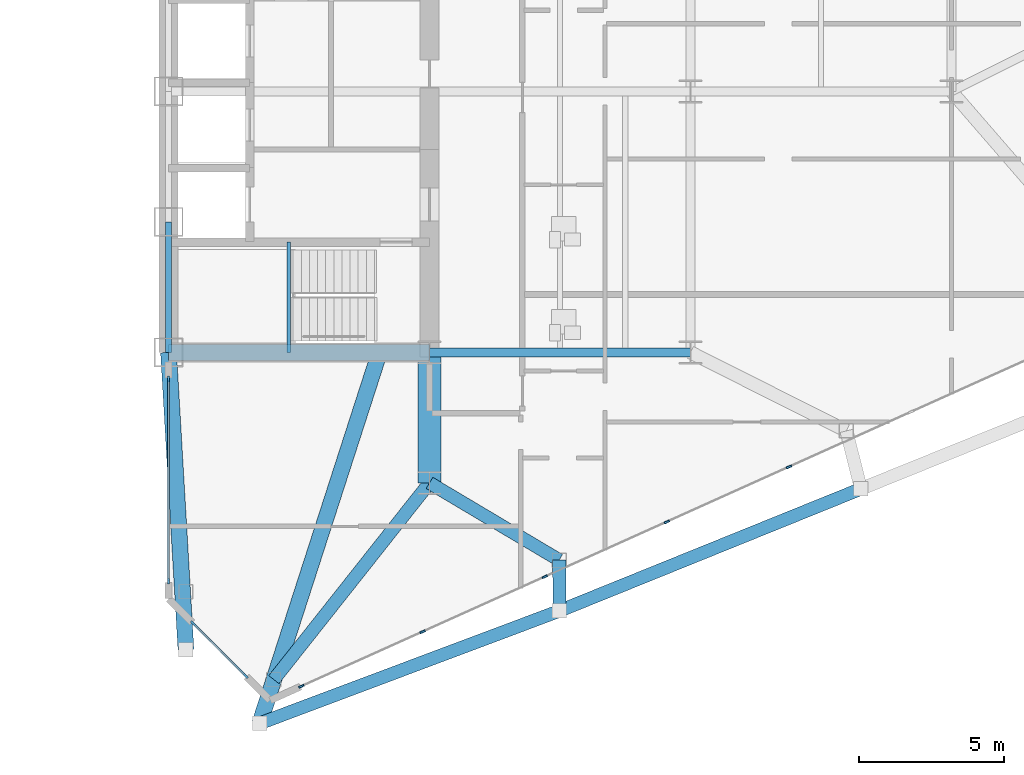
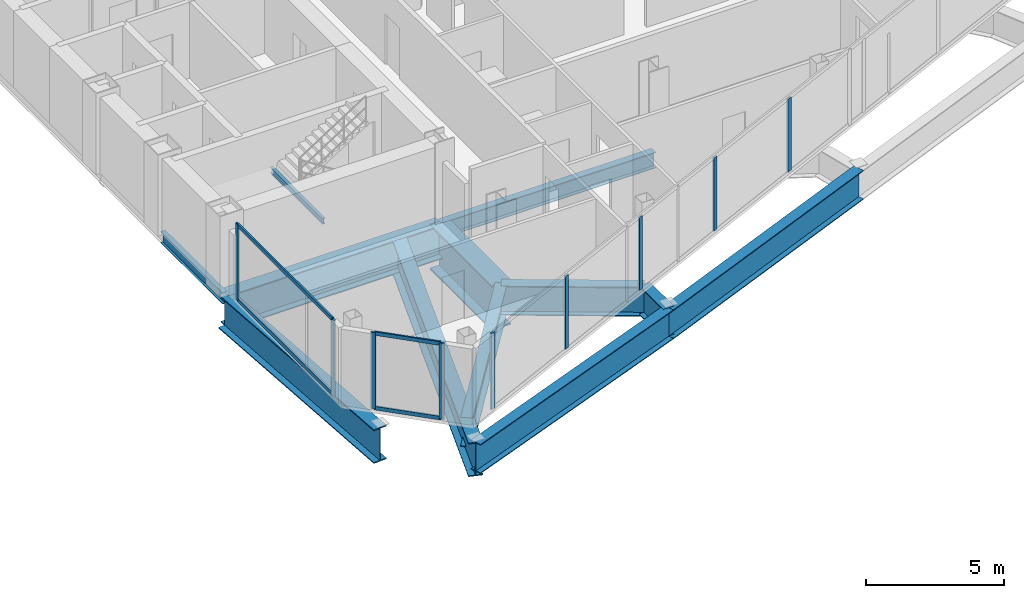
# One storey, part 11 of 29: 13 members, 12 beams, 3 elements without a shape of their own.
"""IFC4 building model written with IfcOpenShell, lengths in metres."""

from ifc_helpers import new_model, si_unit, direction, frame, origin, origin_2d, place, context, subcontext, project, spatial, rectangle, i_section, extrude, source, transform, mapped, material, layer, layer_set, material_profile, profile_set, type_object, type_shapes, element, aggregate, save


model = new_model("IFC4")

# Units and contexts
model_context = context("Model", 3, precision=1e-05, world=origin(), true_north=direction((0.0, 1.0)))
body_context = subcontext(model_context, "Body", "Model", "MODEL_VIEW")
ifc_project = project(units=[si_unit("LENGTHUNIT", "METRE"), si_unit("AREAUNIT", "SQUARE_METRE"), si_unit("VOLUMEUNIT", "CUBIC_METRE"), si_unit("PLANEANGLEUNIT", "RADIAN"), si_unit("MASSUNIT", "GRAM", prefix="KILO")], contexts=[model_context])

# Site, building, storey
site_placement = place(None, origin())
site = spatial("IfcSite", under=ifc_project, at=site_placement, CompositionType="ELEMENT")
building_placement = place(site_placement, origin())
building = spatial("IfcBuilding", under=site, at=building_placement, Name="Seokmaru Belvedere", CompositionType="ELEMENT")
storey_placement = place(building_placement, frame((0.0, 0.0, 62.10009765625)))
storey = spatial("IfcBuildingStorey", under=building, at=storey_placement, Name="L16", CompositionType="ELEMENT", Elevation=62.10009765625)

# Beams
ifc_material_1 = material(Name="Steel SM355 (355 MPa)", Category="steel")
ifc_material_profile_1 = material_profile(ifc_material_1, i_section(OverallWidth=0.199951171875, OverallDepth=0.5, WebThickness=0.010009765625, FlangeThickness=0.01611328125, at=origin_2d()), Name="H-500x200x10x16")
ifc_profile_set_1 = profile_set([ifc_material_profile_1], Name="Steel SM355 (355 MPa)")
beam_type_1 = type_object("IfcBeamType", Name="Perimeter Spandrel Beam H-500", PredefinedType="SPANDREL", material=ifc_profile_set_1)
shared_shape_1 = source(origin(), body_context, "Body", "SweptSolid", [
    extrude(i_section(OverallWidth=0.199951171875, OverallDepth=0.5, WebThickness=0.010009765625, FlangeThickness=0.01611328125, at=origin_2d()), origin(), (0.0, 0.0, 1.0), 4.5),
])
type_shapes(beam_type_1, [shared_shape_1])
beam_1_placement = place(storey_placement, frame((27.5, -13.5, -0.47021484375), z_axis=(0.0, 1.0, 0.0), x_axis=(-1.0, 0.0, 0.0)))
element("IfcBeam", 1, at=beam_1_placement, inside=storey, type_object=beam_type_1, Name="L16 E Portal Spine Spandrel 1", PredefinedType="SPANDREL", context=body_context, shape_type="MappedRepresentation", body=[
    mapped(shared_shape_1, transform((0.0, 0.0, 0.0), scale=1.0)),
])
ifc_material_profile_2 = material_profile(ifc_material_1, i_section(OverallWidth=0.300048828125, OverallDepth=0.699951171875, WebThickness=0.012939453125, FlangeThickness=0.02392578125, at=origin_2d()), Name="H-700x300x13x24")
ifc_profile_set_2 = profile_set([ifc_material_profile_2], Name="Steel SM355 (355 MPa)")
beam_type_2 = type_object("IfcBeamType", Name="Primary Floor Girder H-700", PredefinedType="BEAM", material=ifc_profile_set_2)
shared_shape_2 = source(origin(), body_context, "Body", "SweptSolid", [
    extrude(i_section(OverallWidth=0.300048828125, OverallDepth=0.699951171875, WebThickness=0.012939453125, FlangeThickness=0.02392578125, at=origin_2d()), origin(), (0.0, 0.0, 1.0), 9.0),
])
type_shapes(beam_type_2, [shared_shape_2])
beam_2_placement = place(storey_placement, frame((36.5, -13.5, -0.570068359375), z_axis=(1.0, 0.0, 0.0), x_axis=(0.0, 1.0, 0.0)))
element("IfcBeam", 2, at=beam_2_placement, inside=storey, type_object=beam_type_2, Name="L16 E Wing Primary Girder 1", PredefinedType="BEAM", context=body_context, shape_type="MappedRepresentation", body=[
    mapped(shared_shape_2, transform((0.0, 0.0, 0.0), scale=1.0)),
])
ifc_material_2 = material(Name="Steel HSA650 (650 MPa)", Category="steel")
ifc_material_profile_3 = material_profile(ifc_material_2, i_section(OverallWidth=0.800048828125, OverallDepth=2.0, WebThickness=0.0400390625, FlangeThickness=0.070068359375, at=origin_2d()), Name="BH-2000x800x40x70")
ifc_profile_set_3 = profile_set([ifc_material_profile_3], Name="Steel HSA650 (650 MPa)")
beam_type_3 = type_object("IfcBeamType", Name="Sky-Gate Transfer Truss Chord Girder BH-2000", PredefinedType="BEAM", material=ifc_profile_set_3)
shared_shape_3 = source(origin(), body_context, "Body", "SweptSolid", [
    extrude(i_section(OverallWidth=0.800048828125, OverallDepth=2.0, WebThickness=0.0400390625, FlangeThickness=0.070068359375, at=origin_2d()), origin(), (0.0, 0.0, 1.0), 4.5),
])
type_shapes(beam_type_3, [shared_shape_3])
beam_3_placement = place(storey_placement, frame((36.5, -18.0, -1.22021484375), z_axis=(0.0, 1.0, 0.0), x_axis=(-1.0, 0.0, 0.0)))
element("IfcBeam", 3, at=beam_3_placement, inside=storey, type_object=beam_type_3, Name="L16 E Core Shoulder Girder S", PredefinedType="BEAM", context=body_context, shape_type="MappedRepresentation", body=[
    mapped(shared_shape_3, transform((0.0, 0.0, 0.0), scale=1.0)),
])
ifc_material_profile_4 = material_profile(ifc_material_2, i_section(OverallWidth=0.449951171875, OverallDepth=1.300048828125, WebThickness=0.02197265625, FlangeThickness=0.0380859375, at=origin_2d()), Name="BH-1300x450x22x38")
ifc_profile_set_4 = profile_set([ifc_material_profile_4], Name="Steel HSA650 (650 MPa)")
beam_type_4 = type_object("IfcBeamType", Name="Observatory Long-Span Roof Girder BH-1300", PredefinedType="BEAM", material=ifc_profile_set_4)
shared_shape_4 = source(origin(), body_context, "Body", "SweptSolid", [
    extrude(i_section(OverallWidth=0.449951171875, OverallDepth=1.300048828125, WebThickness=0.02197265625, FlangeThickness=0.0380859375, at=origin_2d()), origin(), (0.0, 0.0, 1.0), 11.03857421875),
])
beam_4_placement = place(storey_placement, frame((30.643310546875, -26.294677734375, -0.8701171875), z_axis=(0.936169110734, 0.351549990907, 0.0), x_axis=(-0.351549990907, 0.936169110734, 0.0)))
element("IfcBeam", 4, at=beam_4_placement, inside=storey, type_object=beam_type_4, Name="L16 E Faceted Flank Spandrel S-1", PredefinedType="BEAM", context=body_context, shape_type="MappedRepresentation", body=[
    mapped(shared_shape_4, transform((0.0, 0.0, 0.0), scale=1.0)),
])
shared_shape_5 = source(origin(), body_context, "Body", "SweptSolid", [
    extrude(i_section(OverallWidth=0.449951171875, OverallDepth=1.300048828125, WebThickness=0.02197265625, FlangeThickness=0.0380859375, at=origin_2d()), origin(), (0.0, 0.0, 1.0), 11.220703125),
])
beam_5_placement = place(storey_placement, frame((40.977294921875, -22.4140625, -0.8701171875), z_axis=(0.926944290816, 0.375198989503, 0.0), x_axis=(-0.375198989503, 0.926944290816, 0.0)))
element("IfcBeam", 5, at=beam_5_placement, inside=storey, type_object=beam_type_4, Name="L16 E Faceted Flank Spandrel S-2", PredefinedType="BEAM", context=body_context, shape_type="MappedRepresentation", body=[
    mapped(shared_shape_5, transform((0.0, 0.0, 0.0), scale=1.0)),
])
ifc_material_profile_5 = material_profile(ifc_material_2, i_section(OverallWidth=0.550048828125, OverallDepth=1.5, WebThickness=0.028076171875, FlangeThickness=0.044921875, at=origin_2d()), Name="BH-1500x550x28x45")
ifc_profile_set_5 = profile_set([ifc_material_profile_5], Name="Steel HSA650 (650 MPa)")
beam_type_5 = type_object("IfcBeamType", Name="Setback Transfer Girder BH-1500", PredefinedType="BEAM", material=ifc_profile_set_5)
shared_shape_6 = source(origin(), body_context, "Body", "SweptSolid", [
    extrude(i_section(OverallWidth=0.550048828125, OverallDepth=1.5, WebThickness=0.028076171875, FlangeThickness=0.044921875, at=origin_2d()), origin(), (0.0, 0.0, 1.0), 10.26904296875),
])
beam_6_placement = place(storey_placement, frame((28.10009765625, -23.75146484375, -0.97021484375), z_axis=(-0.058437709399, 0.998291056817, 0.0), x_axis=(-0.998291056817, -0.058437709399, 0.0)))
element("IfcBeam", 6, at=beam_6_placement, inside=storey, type_object=beam_type_5, Name="L16 E Setback Transfer Girder 6", PredefinedType="BEAM", context=body_context, shape_type="MappedRepresentation", body=[
    mapped(shared_shape_6, transform((0.0, 0.0, 0.0), scale=1.0)),
])
shared_shape_7 = source(origin(), body_context, "Body", "SweptSolid", [
    extrude(i_section(OverallWidth=0.550048828125, OverallDepth=1.5, WebThickness=0.028076171875, FlangeThickness=0.044921875, at=origin_2d()), origin(), (0.0, 0.0, 1.0), 9.0),
])
beam_7_placement = place(storey_placement, frame((27.5, -13.5, -0.97021484375), z_axis=(1.0, 0.0, 0.0), x_axis=(0.0, 1.0, 0.0)))
element("IfcBeam", 7, at=beam_7_placement, inside=storey, type_object=beam_type_5, Name="L16 E Core Transfer Header 1", PredefinedType="BEAM", context=body_context, shape_type="MappedRepresentation", body=[
    mapped(shared_shape_7, transform((0.0, 0.0, 0.0), scale=1.0)),
])
shared_shape_8 = source(origin(), body_context, "Body", "SweptSolid", [
    extrude(i_section(OverallWidth=0.550048828125, OverallDepth=1.5, WebThickness=0.028076171875, FlangeThickness=0.044921875, at=origin_2d()), origin(), (0.0, 0.0, 1.0), 13.445068359375),
])
type_shapes(beam_type_5, [shared_shape_6, shared_shape_7, shared_shape_8])
beam_8_placement = place(storey_placement, frame((30.643310546875, -26.294677734375, -0.97021484375), z_axis=(0.307241517506, 0.951631572574, 0.0), x_axis=(-0.951631572574, 0.307241517506, 0.0)))
element("IfcBeam", 8, at=beam_8_placement, inside=storey, type_object=beam_type_5, Name="L16 E Setback Transfer Girder 1", PredefinedType="BEAM", context=body_context, shape_type="MappedRepresentation", body=[
    mapped(shared_shape_8, transform((0.0, 0.0, 0.0), scale=1.0)),
])
shared_shape_9 = source(origin(), body_context, "Body", "SweptSolid", [
    extrude(i_section(OverallWidth=0.449951171875, OverallDepth=1.300048828125, WebThickness=0.02197265625, FlangeThickness=0.0380859375, at=origin_2d()), origin(), (0.0, 0.0, 1.0), 8.650390625),
])
beam_9_placement = place(storey_placement, frame((31.13134765625, -24.782958984375, -0.8701171875), z_axis=(0.620618362853, 0.784112777405, 0.0), x_axis=(-0.784112777405, 0.620618362853, 0.0)))
element("IfcBeam", 9, at=beam_9_placement, inside=storey, type_object=beam_type_4, Name="L16 E Shoulder Sanity Tie Girder 1", PredefinedType="BEAM", context=body_context, shape_type="MappedRepresentation", body=[
    mapped(shared_shape_9, transform((0.0, 0.0, 0.0), scale=1.0)),
])
shared_shape_10 = source(origin(), body_context, "Body", "SweptSolid", [
    extrude(i_section(OverallWidth=0.449951171875, OverallDepth=1.300048828125, WebThickness=0.02197265625, FlangeThickness=0.0380859375, at=origin_2d()), origin(), (0.0, 0.0, 1.0), 1.752685546875),
])
beam_10_placement = place(storey_placement, frame((40.977294921875, -22.4140625, -0.8701171875), z_axis=(-0.002646598894, 0.999996497751, 0.0), x_axis=(-0.999996497751, -0.002646598894, 0.0)))
element("IfcBeam", 10, at=beam_10_placement, inside=storey, type_object=beam_type_4, Name="L16 E Flank Setback Step Girder S-1", PredefinedType="BEAM", context=body_context, shape_type="MappedRepresentation", body=[
    mapped(shared_shape_10, transform((0.0, 0.0, 0.0), scale=1.0)),
])
shared_shape_11 = source(origin(), body_context, "Body", "SweptSolid", [
    extrude(i_section(OverallWidth=0.449951171875, OverallDepth=1.300048828125, WebThickness=0.02197265625, FlangeThickness=0.0380859375, at=origin_2d()), origin(), (0.0, 0.0, 1.0), 5.20458984375),
])
type_shapes(beam_type_4, [shared_shape_4, shared_shape_5, shared_shape_9, shared_shape_10, shared_shape_11])
beam_11_placement = place(storey_placement, frame((40.97265625, -20.661376953125, -0.8701171875), z_axis=(-0.859370434188, 0.511353553662, 0.0), x_axis=(-0.511353553662, -0.859370434188, 0.0)))
element("IfcBeam", 11, at=beam_11_placement, inside=storey, type_object=beam_type_4, Name="L16 E Flank Setback Back-Span Girder S-1", PredefinedType="BEAM", context=body_context, shape_type="MappedRepresentation", body=[
    mapped(shared_shape_11, transform((0.0, 0.0, 0.0), scale=1.0)),
])

# Curtain wall, member
ifc_material_3 = material(Name="Bronze Triple Insulating Glass", Category="glass")
ifc_layer = layer(ifc_material_3, 0.195068359375)
ifc_layer_set = layer_set([ifc_layer], Name="Bronze Triple Insulating Glass")
curtain_wall_type = type_object("IfcCurtainWallType", Name="Lower-Mid Tapered Curtain Wall System CW-3", PredefinedType="NOTDEFINED", material=ifc_layer_set)
curtain_wall_1_placement = place(storey_placement, origin())
curtain_wall_1 = element("IfcCurtainWall", 12, at=curtain_wall_1_placement, inside=storey, type_object=curtain_wall_type, Name="L16 Curtain Wall EF1", PredefinedType="NOTDEFINED")
ifc_material_4 = material(Name="Anodised Bronze Aluminium", Category="aluminium")
ifc_material_profile_6 = material_profile(ifc_material_4, rectangle(XDim=0.070068359375, YDim=0.195068359375, at=origin_2d()), Name="CW-M-70x195")
ifc_profile_set_6 = profile_set([ifc_material_profile_6], Name="Anodised Bronze Aluminium")
member_type_1 = type_object("IfcMemberType", Name="Bronze Unitised Mullion 70x195", PredefinedType="MULLION", material=ifc_profile_set_6)
shared_shape_12 = source(origin(), body_context, "Body", "SweptSolid", [
    extrude(rectangle(XDim=0.070068359375, YDim=0.195068359375, at=origin_2d()), origin(), (0.0, 0.0, 1.0), 3.3798828125),
])
member_1_placement = place(storey_placement, frame((32.08056640625, -25.013671875, 0.0), z_axis=(0.0, 0.0, 1.0), x_axis=(-0.41036554765, 0.91192111353, 0.0)))
member_1 = element("IfcMember", 13, at=member_1_placement, type_object=member_type_1, Name="CW:L16:EF1 Mullion 1", PredefinedType="MULLION", context=body_context, shape_type="MappedRepresentation", body=[
    mapped(shared_shape_12, transform((0.0, 0.0, 0.0), scale=1.0)),
])

# Curtain wall, members
curtain_wall_2_placement = place(storey_placement, origin())
curtain_wall_2 = element("IfcCurtainWall", 14, at=curtain_wall_2_placement, inside=storey, type_object=curtain_wall_type, Name="L16 Curtain Wall ESP_1", PredefinedType="NOTDEFINED")
member_2_placement = place(storey_placement, frame((27.5, -14.4150390625, 0.0), z_axis=(0.0, 0.0, 1.0), x_axis=(1.0, 0.0, 0.0)))
member_2 = element("IfcMember", 15, at=member_2_placement, type_object=member_type_1, Name="CW:L16:ESP_1 Mullion 1", PredefinedType="MULLION", context=body_context, shape_type="MappedRepresentation", body=[
    mapped(shared_shape_12, transform((0.0, 0.0, 0.0), scale=1.0)),
])
member_3_placement = place(storey_placement, frame((27.5, -21.39501953125, 0.0), z_axis=(0.0, 0.0, 1.0), x_axis=(1.0, 0.0, 0.0)))
member_3 = element("IfcMember", 16, at=member_3_placement, type_object=member_type_1, Name="CW:L16:ESP_1 Mullion 2", PredefinedType="MULLION", context=body_context, shape_type="MappedRepresentation", body=[
    mapped(shared_shape_12, transform((0.0, 0.0, 0.0), scale=1.0)),
])

curtain_wall_3_placement = place(storey_placement, origin())
curtain_wall_3 = element("IfcCurtainWall", 17, at=curtain_wall_3_placement, inside=storey, type_object=curtain_wall_type, Name="L16 Curtain Wall EF6", PredefinedType="NOTDEFINED")
member_4_placement = place(storey_placement, frame((28.337890625, -22.837890625, 0.0), z_axis=(0.0, 0.0, 1.0), x_axis=(0.707106781187, 0.707106781187, 0.0)))
member_4 = element("IfcMember", 18, at=member_4_placement, type_object=member_type_1, Name="CW:L16:EF6 Mullion 1", PredefinedType="MULLION", context=body_context, shape_type="MappedRepresentation", body=[
    mapped(shared_shape_12, transform((0.0, 0.0, 0.0), scale=1.0)),
])
member_5_placement = place(storey_placement, frame((30.162109375, -24.662109375, 0.0), z_axis=(0.0, 0.0, 1.0), x_axis=(0.707106781187, 0.707106781187, 0.0)))
member_5 = element("IfcMember", 19, at=member_5_placement, type_object=member_type_1, Name="CW:L16:EF6 Mullion 2", PredefinedType="MULLION", context=body_context, shape_type="MappedRepresentation", body=[
    mapped(shared_shape_12, transform((0.0, 0.0, 0.0), scale=1.0)),
])

# Member
ifc_material_profile_7 = material_profile(ifc_material_4, rectangle(XDim=0.070068359375, YDim=0.1650390625, at=origin_2d()), Name="CW-T-70x165")
ifc_profile_set_7 = profile_set([ifc_material_profile_7], Name="Anodised Bronze Aluminium")
member_type_2 = type_object("IfcMemberType", Name="Bronze Unitised Transom 70x165", PredefinedType="USERDEFINED", material=ifc_profile_set_7)
shared_shape_13 = source(origin(), body_context, "Body", "SweptSolid", [
    extrude(rectangle(XDim=0.070068359375, YDim=0.1650390625, at=origin_2d()), origin(), (0.0, 0.0, 1.0), 6.91015625),
])
member_6_placement = place(storey_placement, frame((27.5, -14.449951171875, 0.034912109375), z_axis=(0.0, -1.0, 0.0), x_axis=(1.0, 0.0, 0.0)))
member_6 = element("IfcMember", 20, at=member_6_placement, type_object=member_type_2, Name="CW:L16:ESP_1 Continuous Transom 1", ObjectType="TRANSOM", PredefinedType="USERDEFINED", context=body_context, shape_type="MappedRepresentation", body=[
    mapped(shared_shape_13, transform((0.0, 0.0, 0.0), scale=1.0)),
])

member_7_placement = place(storey_placement, frame((27.5, -14.449951171875, 3.344970703125), z_axis=(0.0, -1.0, 0.0), x_axis=(1.0, 0.0, 0.0)))
member_7 = element("IfcMember", 21, at=member_7_placement, type_object=member_type_2, Name="CW:L16:ESP_1 Continuous Transom 2", ObjectType="TRANSOM", PredefinedType="USERDEFINED", context=body_context, shape_type="MappedRepresentation", body=[
    mapped(shared_shape_13, transform((0.0, 0.0, 0.0), scale=1.0)),
])

aggregate(curtain_wall_2, [member_2, member_3, member_6, member_7])

shared_shape_14 = source(origin(), body_context, "Body", "SweptSolid", [
    extrude(rectangle(XDim=0.070068359375, YDim=0.1650390625, at=origin_2d()), origin(), (0.0, 0.0, 1.0), 2.509521484375),
])
type_shapes(member_type_2, [shared_shape_13, shared_shape_14])
member_8_placement = place(storey_placement, frame((28.36279296875, -22.86279296875, 0.034912109375), z_axis=(0.707106781187, -0.707106781187, 0.0), x_axis=(0.707106781187, 0.707106781187, 0.0)))
member_8 = element("IfcMember", 22, at=member_8_placement, type_object=member_type_2, Name="CW:L16:EF6 Continuous Transom 1", ObjectType="TRANSOM", PredefinedType="USERDEFINED", context=body_context, shape_type="MappedRepresentation", body=[
    mapped(shared_shape_14, transform((0.0, 0.0, 0.0), scale=1.0)),
])

member_9_placement = place(storey_placement, frame((28.36279296875, -22.86279296875, 3.344970703125), z_axis=(0.707106781187, -0.707106781187, 0.0), x_axis=(0.707106781187, 0.707106781187, 0.0)))
member_9 = element("IfcMember", 23, at=member_9_placement, type_object=member_type_2, Name="CW:L16:EF6 Continuous Transom 2", ObjectType="TRANSOM", PredefinedType="USERDEFINED", context=body_context, shape_type="MappedRepresentation", body=[
    mapped(shared_shape_14, transform((0.0, 0.0, 0.0), scale=1.0)),
])

aggregate(curtain_wall_3, [member_4, member_5, member_8, member_9])

shared_shape_15 = source(origin(), body_context, "Body", "SweptSolid", [
    extrude(rectangle(XDim=0.070068359375, YDim=0.195068359375, at=origin_2d()), origin(), (0.0, 0.0, 1.0), 3.239990234375),
])
type_shapes(member_type_1, [shared_shape_12, shared_shape_15])
member_10_placement = place(storey_placement, frame((36.260009765625, -23.133056640625, 0.06982421875), z_axis=(0.0, 0.0, 1.0), x_axis=(-0.41036554765, 0.91192111353, 0.0)))
member_10 = element("IfcMember", 24, at=member_10_placement, type_object=member_type_1, Name="CW:L16:EF1 Mullion 2", PredefinedType="MULLION", context=body_context, shape_type="MappedRepresentation", body=[
    mapped(shared_shape_15, transform((0.0, 0.0, 0.0), scale=1.0)),
])

member_11_placement = place(storey_placement, frame((40.471435546875, -21.23779296875, 0.06982421875), z_axis=(0.0, 0.0, 1.0), x_axis=(-0.41036554765, 0.91192111353, 0.0)))
member_11 = element("IfcMember", 25, at=member_11_placement, type_object=member_type_1, Name="CW:L16:EF1 Mullion 3", PredefinedType="MULLION", context=body_context, shape_type="MappedRepresentation", body=[
    mapped(shared_shape_15, transform((0.0, 0.0, 0.0), scale=1.0)),
])

member_12_placement = place(storey_placement, frame((44.682861328125, -19.3427734375, 0.06982421875), z_axis=(0.0, 0.0, 1.0), x_axis=(-0.41036554765, 0.91192111353, 0.0)))
member_12 = element("IfcMember", 26, at=member_12_placement, type_object=member_type_1, Name="CW:L16:EF1 Mullion 4", PredefinedType="MULLION", context=body_context, shape_type="MappedRepresentation", body=[
    mapped(shared_shape_15, transform((0.0, 0.0, 0.0), scale=1.0)),
])

member_13_placement = place(storey_placement, frame((48.894287109375, -17.447509765625, 0.06982421875), z_axis=(0.0, 0.0, 1.0), x_axis=(-0.41036554765, 0.91192111353, 0.0)))
member_13 = element("IfcMember", 27, at=member_13_placement, type_object=member_type_1, Name="CW:L16:EF1 Mullion 5", PredefinedType="MULLION", context=body_context, shape_type="MappedRepresentation", body=[
    mapped(shared_shape_15, transform((0.0, 0.0, 0.0), scale=1.0)),
])

aggregate(curtain_wall_1, [member_1, member_10, member_11, member_12, member_13])

# Beam
ifc_material_profile_8 = material_profile(ifc_material_1, i_section(OverallWidth=0.125, OverallDepth=0.25, WebThickness=0.006103515625, FlangeThickness=0.009033203125, at=origin_2d()), Name="H-250x125x6x9")
ifc_profile_set_8 = profile_set([ifc_material_profile_8], Name="Steel SM355 (355 MPa)")
beam_type_6 = type_object("IfcBeamType", Name="Stair Mid-Landing Support Beam H-250", PredefinedType="JOIST", material=ifc_profile_set_8)
shared_shape_16 = source(origin(), body_context, "Body", "SweptSolid", [
    extrude(i_section(OverallWidth=0.125, OverallDepth=0.25, WebThickness=0.006103515625, FlangeThickness=0.009033203125, at=origin_2d()), origin(), (0.0, 0.0, 1.0), 3.800048828125),
])
type_shapes(beam_type_6, [shared_shape_16])
beam_12_placement = place(storey_placement, frame((31.64990234375, -13.5, 1.474853515625), z_axis=(0.0, 1.0, 0.0), x_axis=(-1.0, 0.0, 0.0)))
element("IfcBeam", 28, at=beam_12_placement, inside=storey, type_object=beam_type_6, Name="L16 Stair ST-E1 Mid-Landing Support Beam 1", PredefinedType="JOIST", context=body_context, shape_type="MappedRepresentation", body=[
    mapped(shared_shape_16, transform((0.0, 0.0, 0.0), scale=1.0)),
])

save(model, "model.ifc")
